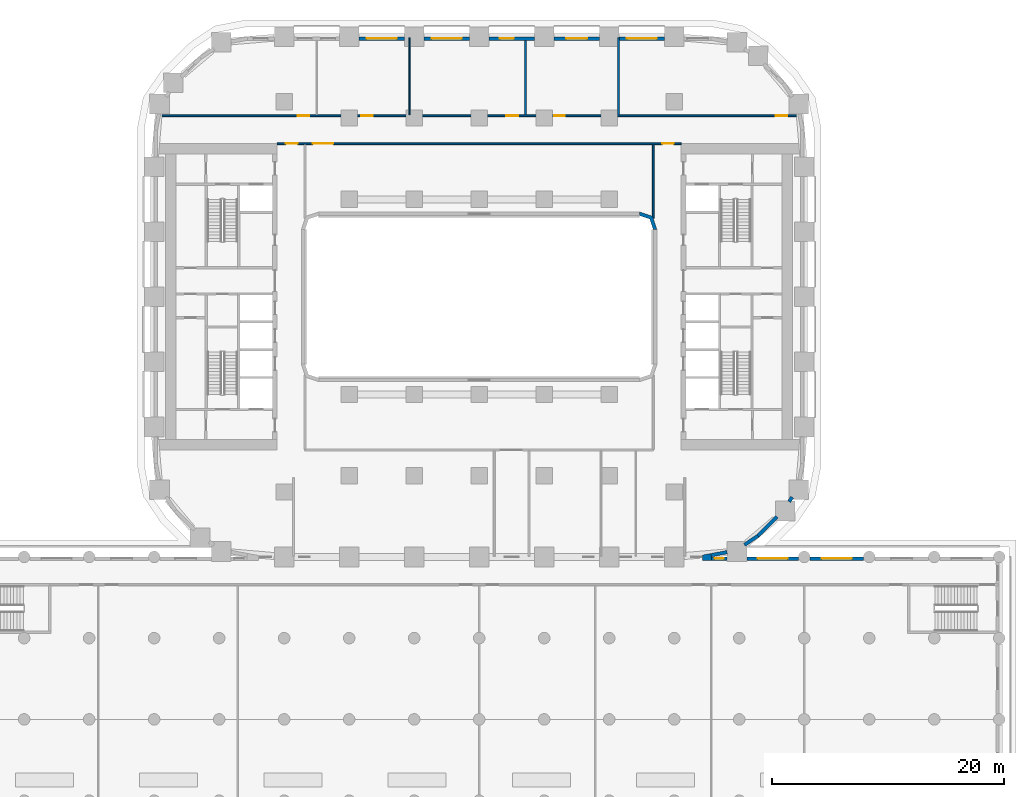
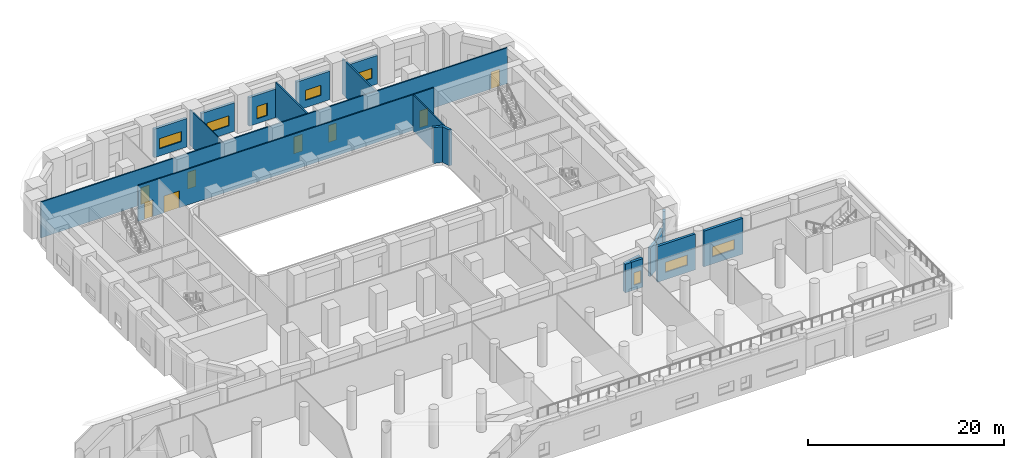
# One storey, part 11 of 23: 20 walls, 8 doors, 8 windows, 16 openings.
"""IFC4 building model written with IfcOpenShell, lengths in metres."""

from ifc_helpers import new_model, si_unit, direction, frame, frame_2d, origin, place, context, subcontext, project, spatial, polyline, rectangle, outline, extrude, material, layer, layer_set, type_object, element, fill, save


model = new_model("IFC4")

# Units and contexts
model_context = context("Model", 3, precision=1e-05, world=origin(), true_north=direction((0.0, 1.0)))
body_context = subcontext(model_context, "Body", "Model", "MODEL_VIEW")
ifc_project = project(units=[si_unit("LENGTHUNIT", "METRE"), si_unit("AREAUNIT", "SQUARE_METRE"), si_unit("VOLUMEUNIT", "CUBIC_METRE"), si_unit("PLANEANGLEUNIT", "RADIAN"), si_unit("MASSUNIT", "GRAM", prefix="KILO")], contexts=[model_context])

# Site, building, storey
site_placement = place(None, origin())
site = spatial("IfcSite", under=ifc_project, at=site_placement, CompositionType="ELEMENT")
building_placement = place(site_placement, origin())
building = spatial("IfcBuilding", under=site, at=building_placement, Name="Kiln Ring Residences", CompositionType="ELEMENT")
storey_placement = place(building_placement, frame((0.0, 0.0, 16.10009765625)))
storey = spatial("IfcBuildingStorey", under=building, at=storey_placement, Name="L03", CompositionType="ELEMENT", Elevation=16.10009765625)

# Wall, opening, window
ifc_material_1 = material(Name="Brick masonry, dark clay brick", Category="masonry")
ifc_layer_1 = layer(ifc_material_1, 0.300048828125)
ifc_layer_set_1 = layer_set([ifc_layer_1], Name="EW-300 BRICK WALL")
wall_type_1 = type_object("IfcWallType", Name="EW-300 BRICK WALL", PredefinedType="SOLIDWALL", material=ifc_layer_set_1)
wall_1_placement = place(storey_placement, frame((33.10009765625, -22.550048828125, 0.0), z_axis=(0.0, 0.0, 1.0), x_axis=(-1.0, 0.0, 0.0)))
wall_1 = element("IfcWall", 1, at=wall_1_placement, inside=storey, type_object=wall_type_1, Name="Facade wall L03 6", PredefinedType="SOLIDWALL", context=body_context, shape_type="SweptSolid", body=[
    extrude(rectangle(XDim=4.60009765625, YDim=0.300048828125, at=frame_2d((2.300048828125, 0.0))), origin(), (0.0, 0.0, 1.0), 4.449951171875),
])
opening_1_placement = place(wall_1_placement, frame((1.0, 0.0, 0.89990234375)))
opening_1 = element("IfcOpeningElement", 2, at=opening_1_placement, cuts=wall_1, Name="Opening W3", PredefinedType="OPENING", context=body_context, shape_type="SweptSolid", body=[
    extrude(rectangle(XDim=2.60009765625, YDim=1.25, at=frame_2d((1.300048828125, 0.625))), frame((0.0, 0.159912109375, 0.0), z_axis=(0.0, -1.0, 0.0), x_axis=(1.0, 0.0, 0.0)), (0.0, 0.0, 1.0), 0.320068359375),
])
ifc_material_2 = material(Name="Aluminium frame with double glazing", Category="aluminium")
window_type_1 = type_object("IfcWindowType", Name="WINDOW 2600 x 1250", PartitioningType="SINGLE_PANEL", PredefinedType="WINDOW", material=ifc_material_2)
window_1_placement = place(opening_1_placement, origin())
window_1 = element("IfcWindow", 3, at=window_1_placement, inside=storey, type_object=window_type_1, Name="Window L03 7", OverallHeight=1.25, OverallWidth=2.60009765625, PartitioningType="SINGLE_PANEL", PredefinedType="WINDOW", context=body_context, shape_type="SweptSolid", body=[
    extrude(rectangle(XDim=2.60009765625, YDim=1.25, at=frame_2d((1.300048828125, 0.625))), frame((0.0, 0.030029296875, 0.0), z_axis=(0.0, -1.0, 0.0), x_axis=(1.0, 0.0, 0.0)), (0.0, 0.0, 1.0), 0.06005859375),
])
fill(opening_1, window_1)

wall_2_placement = place(storey_placement, frame((27.5, -22.550048828125, 0.0), z_axis=(0.0, 0.0, 1.0), x_axis=(-1.0, 0.0, 0.0)))
wall_2 = element("IfcWall", 4, at=wall_2_placement, inside=storey, type_object=wall_type_1, Name="Facade wall L03 7", PredefinedType="SOLIDWALL", context=body_context, shape_type="SweptSolid", body=[
    extrude(rectangle(XDim=4.44140625, YDim=0.300048828125, at=frame_2d((2.220703125, 0.0))), origin(), (0.0, 0.0, 1.0), 4.449951171875),
])
opening_2_placement = place(wall_2_placement, frame((0.920654296875, 0.0, 0.89990234375)))
opening_2 = element("IfcOpeningElement", 5, at=opening_2_placement, cuts=wall_2, Name="Opening W3", PredefinedType="OPENING", context=body_context, shape_type="SweptSolid", body=[
    extrude(rectangle(XDim=2.60009765625, YDim=1.25, at=frame_2d((1.300048828125, 0.625))), frame((0.0, 0.159912109375, 0.0), z_axis=(0.0, -1.0, 0.0), x_axis=(1.0, 0.0, 0.0)), (0.0, 0.0, 1.0), 0.320068359375),
])
window_2_placement = place(opening_2_placement, origin())
window_2 = element("IfcWindow", 6, at=window_2_placement, inside=storey, type_object=window_type_1, Name="Window L03 8", OverallHeight=1.25, OverallWidth=2.60009765625, PartitioningType="SINGLE_PANEL", PredefinedType="WINDOW", context=body_context, shape_type="SweptSolid", body=[
    extrude(rectangle(XDim=2.60009765625, YDim=1.25, at=frame_2d((1.300048828125, 0.625))), frame((0.0, 0.030029296875, 0.0), z_axis=(0.0, -1.0, 0.0), x_axis=(1.0, 0.0, 0.0)), (0.0, 0.0, 1.0), 0.06005859375),
])
fill(opening_2, window_2)

wall_3_placement = place(storey_placement, frame((21.358642578125, -22.550048828125, 0.0), z_axis=(0.0, 0.0, 1.0), x_axis=(-1.0, 0.0, 0.0)))
wall_3 = element("IfcWall", 7, at=wall_3_placement, inside=storey, type_object=wall_type_1, Name="Facade wall L03 8", PredefinedType="SOLIDWALL", context=body_context, shape_type="SweptSolid", body=[
    extrude(rectangle(XDim=1.358642578125, YDim=0.300048828125, at=frame_2d((0.67919921875, 0.0))), origin(), (0.0, 0.0, 1.0), 3.5498046875),
])
opening_3_placement = place(wall_3_placement, frame((0.279296875, 0.0, 0.60009765625)))
opening_3 = element("IfcOpeningElement", 8, at=opening_3_placement, cuts=wall_3, Name="Opening W5", PredefinedType="OPENING", context=body_context, shape_type="SweptSolid", body=[
    extrude(rectangle(XDim=0.800048828125, YDim=1.550048828125, at=frame_2d((0.39990234375, 0.77490234375))), frame((0.0, 0.159912109375, 0.0), z_axis=(0.0, -1.0, 0.0), x_axis=(1.0, 0.0, 0.0)), (0.0, 0.0, 1.0), 0.320068359375),
])
ifc_material_3 = material(Name="Aluminium frame with double glazing", Category="aluminium")
window_type_2 = type_object("IfcWindowType", Name="WINDOW 800 x 1550", PartitioningType="SINGLE_PANEL", PredefinedType="WINDOW", material=ifc_material_3)
window_3_placement = place(opening_3_placement, origin())
window_3 = element("IfcWindow", 9, at=window_3_placement, inside=storey, type_object=window_type_2, Name="Window L03 9", OverallHeight=1.550048828125, OverallWidth=0.800048828125, PartitioningType="SINGLE_PANEL", PredefinedType="WINDOW", context=body_context, shape_type="SweptSolid", body=[
    extrude(rectangle(XDim=0.800048828125, YDim=1.550048828125, at=frame_2d((0.39990234375, 0.77490234375))), frame((0.0, 0.030029296875, 0.0), z_axis=(0.0, -1.0, 0.0), x_axis=(1.0, 0.0, 0.0)), (0.0, 0.0, 1.0), 0.06005859375),
])
fill(opening_3, window_3)

# Walls
for number, where, z_axis, x_axis, name in (
    (10, (19.971923828125, -22.252685546875, 0.0), (0.0, 0.0, 1.0), (0.98229142023, 0.187359455971, 0.0), "Facade wall L03 9"),
    (11, (22.849853515625, -21.369140625, 0.0), (0.0, 0.0, 1.0), (0.827075041075, 0.562091519622, 0.0), "Facade wall L03 10"),
):
    element("IfcWall", number, at=place(storey_placement, frame(where, z_axis=z_axis, x_axis=x_axis)), inside=storey, type_object=wall_type_1, Name=name, PredefinedType="SOLIDWALL", context=body_context, shape_type="SweptSolid", body=[
        extrude(rectangle(XDim=1.406005859375, YDim=0.300048828125, at=frame_2d((0.703125, 0.0))), origin(), (0.0, 0.0, 1.0), 3.5498046875),
    ])
wall_4_placement = place(storey_placement, frame((23.990966796875, -20.596923828125, 0.0), z_axis=(0.0, 0.0, 1.0), x_axis=(0.707054835785, 0.707158722772, 0.0)))
element("IfcWall", 12, at=wall_4_placement, inside=storey, type_object=wall_type_1, Name="Facade wall L03 11", PredefinedType="SOLIDWALL", context=body_context, shape_type="SweptSolid", body=[
    extrude(rectangle(XDim=2.35009765625, YDim=0.300048828125, at=frame_2d((1.175048828125, 0.0))), origin(), (0.0, 0.0, 1.0), 3.5498046875),
])
wall_5_placement = place(storey_placement, frame((26.701171875, -17.644287109375, 0.0), z_axis=(0.0, 0.0, 1.0), x_axis=(0.562001981492, 0.827135885329, 0.0)))
element("IfcWall", 13, at=wall_5_placement, inside=storey, type_object=wall_type_1, Name="Facade wall L03 12", PredefinedType="SOLIDWALL", context=body_context, shape_type="SweptSolid", body=[
    extrude(rectangle(XDim=0.47705078125, YDim=0.300048828125, at=frame_2d((0.238525390625, 0.0))), origin(), (0.0, 0.0, 1.0), 4.449951171875),
])

# Wall, opening, window
wall_6_placement = place(storey_placement, frame((15.949951171875, 22.25, 0.0), z_axis=(0.0, 0.0, 1.0), x_axis=(-1.0, 0.0, 0.0)))
wall_6 = element("IfcWall", 14, at=wall_6_placement, inside=storey, type_object=wall_type_1, Name="Facade wall L03 26", PredefinedType="SOLIDWALL", context=body_context, shape_type="SweptSolid", body=[
    extrude(rectangle(XDim=3.89990234375, YDim=0.300048828125, at=frame_2d((1.949951171875, 0.0))), origin(), (0.0, 0.0, 1.0), 3.5498046875),
])
opening_4_placement = place(wall_6_placement, frame((0.637451171875, 0.0, 0.89990234375)))
opening_4 = element("IfcOpeningElement", 15, at=opening_4_placement, cuts=wall_6, Name="Opening W3", PredefinedType="OPENING", context=body_context, shape_type="SweptSolid", body=[
    extrude(rectangle(XDim=2.60009765625, YDim=1.25, at=frame_2d((1.300048828125, 0.625))), frame((0.0, 0.159912109375, 0.0), z_axis=(0.0, -1.0, 0.0), x_axis=(1.0, 0.0, 0.0)), (0.0, 0.0, 1.0), 0.320068359375),
])
window_4_placement = place(opening_4_placement, origin())
window_4 = element("IfcWindow", 16, at=window_4_placement, inside=storey, type_object=window_type_1, Name="Window L03 12", OverallHeight=1.25, OverallWidth=2.60009765625, PartitioningType="SINGLE_PANEL", PredefinedType="WINDOW", context=body_context, shape_type="SweptSolid", body=[
    extrude(rectangle(XDim=2.60009765625, YDim=1.25, at=frame_2d((1.300048828125, 0.625))), frame((0.0, 0.030029296875, 0.0), z_axis=(0.0, -1.0, 0.0), x_axis=(1.0, 0.0, 0.0)), (0.0, 0.0, 1.0), 0.06005859375),
])
fill(opening_4, window_4)

wall_7_placement = place(storey_placement, frame((10.35009765625, 22.25, 0.0), z_axis=(0.0, 0.0, 1.0), x_axis=(-1.0, 0.0, 0.0)))
wall_7 = element("IfcWall", 17, at=wall_7_placement, inside=storey, type_object=wall_type_1, Name="Facade wall L03 27", PredefinedType="SOLIDWALL", context=body_context, shape_type="SweptSolid", body=[
    extrude(rectangle(XDim=3.900146484375, YDim=0.300048828125, at=frame_2d((1.9501953125, 0.0))), origin(), (0.0, 0.0, 1.0), 3.5498046875),
])
opening_5_placement = place(wall_7_placement, frame((1.050048828125, 0.0, 0.89990234375)))
opening_5 = element("IfcOpeningElement", 18, at=opening_5_placement, cuts=wall_7, Name="Opening W2", PredefinedType="OPENING", context=body_context, shape_type="SweptSolid", body=[
    extrude(rectangle(XDim=1.800048828125, YDim=1.25, at=frame_2d((0.89990234375, 0.625))), frame((0.0, 0.159912109375, 0.0), z_axis=(0.0, -1.0, 0.0), x_axis=(1.0, 0.0, 0.0)), (0.0, 0.0, 1.0), 0.320068359375),
])
ifc_material_4 = material(Name="Aluminium frame with double glazing", Category="aluminium")
window_type_3 = type_object("IfcWindowType", Name="WINDOW 1800 x 1250", PartitioningType="SINGLE_PANEL", PredefinedType="WINDOW", material=ifc_material_4)
window_5_placement = place(opening_5_placement, origin())
window_5 = element("IfcWindow", 19, at=window_5_placement, inside=storey, type_object=window_type_3, Name="Window L03 13", OverallHeight=1.25, OverallWidth=1.800048828125, PartitioningType="SINGLE_PANEL", PredefinedType="WINDOW", context=body_context, shape_type="SweptSolid", body=[
    extrude(rectangle(XDim=1.800048828125, YDim=1.25, at=frame_2d((0.89990234375, 0.625))), frame((0.0, 0.030029296875, 0.0), z_axis=(0.0, -1.0, 0.0), x_axis=(1.0, 0.0, 0.0)), (0.0, 0.0, 1.0), 0.06005859375),
])
fill(opening_5, window_5)

wall_8_placement = place(storey_placement, frame((4.75, 22.25, 0.0), z_axis=(0.0, 0.0, 1.0), x_axis=(-1.0, 0.0, 0.0)))
wall_8 = element("IfcWall", 20, at=wall_8_placement, inside=storey, type_object=wall_type_1, Name="Facade wall L03 28", PredefinedType="SOLIDWALL", context=body_context, shape_type="SweptSolid", body=[
    extrude(rectangle(XDim=3.89990234375, YDim=0.300048828125, at=frame_2d((1.949951171875, 0.0))), origin(), (0.0, 0.0, 1.0), 3.5498046875),
])
opening_6_placement = place(wall_8_placement, frame((1.762451171875, 0.0, 0.60009765625)))
opening_6 = element("IfcOpeningElement", 21, at=opening_6_placement, cuts=wall_8, Name="Opening W1", PredefinedType="OPENING", context=body_context, shape_type="SweptSolid", body=[
    extrude(rectangle(XDim=1.199951171875, YDim=1.550048828125, at=frame_2d((0.60009765625, 0.77490234375))), frame((0.0, 0.159912109375, 0.0), z_axis=(0.0, -1.0, 0.0), x_axis=(1.0, 0.0, 0.0)), (0.0, 0.0, 1.0), 0.320068359375),
])
ifc_material_5 = material(Name="Aluminium frame with double glazing", Category="aluminium")
window_type_4 = type_object("IfcWindowType", Name="WINDOW 1200 x 1550", PartitioningType="SINGLE_PANEL", PredefinedType="WINDOW", material=ifc_material_5)
window_6_placement = place(opening_6_placement, origin())
window_6 = element("IfcWindow", 22, at=window_6_placement, inside=storey, type_object=window_type_4, Name="Window L03 14", OverallHeight=1.550048828125, OverallWidth=1.199951171875, PartitioningType="SINGLE_PANEL", PredefinedType="WINDOW", context=body_context, shape_type="SweptSolid", body=[
    extrude(rectangle(XDim=1.199951171875, YDim=1.550048828125, at=frame_2d((0.60009765625, 0.77490234375))), frame((0.0, 0.030029296875, 0.0), z_axis=(0.0, -1.0, 0.0), x_axis=(1.0, 0.0, 0.0)), (0.0, 0.0, 1.0), 0.06005859375),
])
fill(opening_6, window_6)

wall_9_placement = place(storey_placement, frame((-0.85009765625, 22.25, 0.0), z_axis=(0.0, 0.0, 1.0), x_axis=(-1.0, 0.0, 0.0)))
wall_9 = element("IfcWall", 23, at=wall_9_placement, inside=storey, type_object=wall_type_1, Name="Facade wall L03 29", PredefinedType="SOLIDWALL", context=body_context, shape_type="SweptSolid", body=[
    extrude(rectangle(XDim=3.89990234375, YDim=0.300048828125, at=frame_2d((1.949951171875, 0.0))), origin(), (0.0, 0.0, 1.0), 3.5498046875),
])
opening_7_placement = place(wall_9_placement, frame((0.64990234375, 0.0, 0.89990234375)))
opening_7 = element("IfcOpeningElement", 24, at=opening_7_placement, cuts=wall_9, Name="Opening W3", PredefinedType="OPENING", context=body_context, shape_type="SweptSolid", body=[
    extrude(rectangle(XDim=2.60009765625, YDim=1.25, at=frame_2d((1.300048828125, 0.625))), frame((0.0, 0.159912109375, 0.0), z_axis=(0.0, -1.0, 0.0), x_axis=(1.0, 0.0, 0.0)), (0.0, 0.0, 1.0), 0.320068359375),
])
window_7_placement = place(opening_7_placement, origin())
window_7 = element("IfcWindow", 25, at=window_7_placement, inside=storey, type_object=window_type_1, Name="Window L03 15", OverallHeight=1.25, OverallWidth=2.60009765625, PartitioningType="SINGLE_PANEL", PredefinedType="WINDOW", context=body_context, shape_type="SweptSolid", body=[
    extrude(rectangle(XDim=2.60009765625, YDim=1.25, at=frame_2d((1.300048828125, 0.625))), frame((0.0, 0.030029296875, 0.0), z_axis=(0.0, -1.0, 0.0), x_axis=(1.0, 0.0, 0.0)), (0.0, 0.0, 1.0), 0.06005859375),
])
fill(opening_7, window_7)

wall_10_placement = place(storey_placement, frame((-6.449951171875, 22.25, 0.0), z_axis=(0.0, 0.0, 1.0), x_axis=(-1.0, 0.0, 0.0)))
wall_10 = element("IfcWall", 26, at=wall_10_placement, inside=storey, type_object=wall_type_1, Name="Facade wall L03 30", PredefinedType="SOLIDWALL", context=body_context, shape_type="SweptSolid", body=[
    extrude(rectangle(XDim=3.900146484375, YDim=0.300048828125, at=frame_2d((1.9501953125, 0.0))), origin(), (0.0, 0.0, 1.0), 3.5498046875),
])
opening_8_placement = place(wall_10_placement, frame((0.64990234375, 0.0, 0.89990234375)))
opening_8 = element("IfcOpeningElement", 27, at=opening_8_placement, cuts=wall_10, Name="Opening W3", PredefinedType="OPENING", context=body_context, shape_type="SweptSolid", body=[
    extrude(rectangle(XDim=2.60009765625, YDim=1.25, at=frame_2d((1.300048828125, 0.625))), frame((0.0, 0.159912109375, 0.0), z_axis=(0.0, -1.0, 0.0), x_axis=(1.0, 0.0, 0.0)), (0.0, 0.0, 1.0), 0.320068359375),
])
window_8_placement = place(opening_8_placement, origin())
window_8 = element("IfcWindow", 28, at=window_8_placement, inside=storey, type_object=window_type_1, Name="Window L03 16", OverallHeight=1.25, OverallWidth=2.60009765625, PartitioningType="SINGLE_PANEL", PredefinedType="WINDOW", context=body_context, shape_type="SweptSolid", body=[
    extrude(rectangle(XDim=2.60009765625, YDim=1.25, at=frame_2d((1.300048828125, 0.625))), frame((0.0, 0.030029296875, 0.0), z_axis=(0.0, -1.0, 0.0), x_axis=(1.0, 0.0, 0.0)), (0.0, 0.0, 1.0), 0.06005859375),
])
fill(opening_8, window_8)

# Walls
placement = place(storey_placement, origin())
element("IfcWall", 29, at=placement, inside=storey, type_object=wall_type_1, Name="Corner wall L03 1", PredefinedType="SOLIDWALL", context=body_context, shape_type="SweptSolid", body=[
    extrude(outline(polyline([(19.94384765625, -22.105224609375), (19.2509765625, -22.237548828125), (19.2509765625, -22.699951171875), (20.0, -22.699951171875), (20.0, -22.39990234375), (19.94384765625, -22.105224609375)])), origin(), (0.0, 0.0, 1.0), 3.5498046875),
])
element("IfcWall", 30, at=placement, inside=storey, type_object=wall_type_1, Name="Corner wall L03 4", PredefinedType="SOLIDWALL", context=body_context, shape_type="SweptSolid", body=[
    extrude(outline(polyline([(14.937255859375, 6.937255859375), (13.8486328125, 7.300048828125), (13.800048828125, 7.300048828125), (13.800048828125, 7.0), (14.699951171875, 6.699951171875), (15.0, 5.800048828125), (15.300048828125, 5.800048828125), (15.300048828125, 5.8486328125), (14.937255859375, 6.937255859375)])), origin(), (0.0, 0.0, 1.0), 4.449951171875),
])
ifc_material_6 = material(Name="Gypsum board on steel studs", Category="steel")
ifc_layer_2 = layer(ifc_material_6, 0.10009765625)
ifc_layer_set_2 = layer_set([ifc_layer_2], Name="PARTITION-100")
wall_type_2 = type_object("IfcWallType", Name="PARTITION-100", PredefinedType="PARTITIONING", material=ifc_layer_set_2)
wall_13_placement = place(storey_placement, frame((-6.0, 15.675048828125, 0.0), z_axis=(0.0, 0.0, 1.0), x_axis=(0.0, 1.0, 0.0)))
element("IfcWall", 31, at=wall_13_placement, inside=storey, type_object=wall_type_2, Name="Partition 016", PredefinedType="PARTITIONING", context=body_context, shape_type="SweptSolid", body=[
    extrude(rectangle(XDim=6.635009765625, YDim=0.10009765625, at=frame_2d((3.3173828125, 0.0))), origin(), (0.0, 0.0, 1.0), 4.449951171875),
])

# Wall, openings, doors
ifc_material_7 = material(Name="Brick masonry partition", Category="masonry")
ifc_layer_3 = layer(ifc_material_7, 0.14990234375)
ifc_layer_set_3 = layer_set([ifc_layer_3], Name="PARTITION-150-ei60")
wall_type_3 = type_object("IfcWallType", Name="PARTITION-150-ei60", PredefinedType="PARTITIONING", material=ifc_layer_set_3)
wall_14_placement = place(storey_placement, frame((-17.39990234375, 13.199951171875, 0.0), z_axis=(0.0, 0.0, 1.0), x_axis=(1.0, 0.0, 0.0)))
wall_14 = element("IfcWall", 32, at=wall_14_placement, inside=storey, type_object=wall_type_3, Name="Partition 007", PredefinedType="PARTITIONING", context=body_context, shape_type="SweptSolid", body=[
    extrude(rectangle(XDim=34.7998046875, YDim=0.14990234375, at=frame_2d((17.39990234375, 0.0))), origin(), (0.0, 0.0, 1.0), 4.449951171875),
])
opening_9_placement = place(wall_14_placement, frame((3.050048828125, 0.0, 0.0)))
opening_9 = element("IfcOpeningElement", 33, at=opening_9_placement, cuts=wall_14, Name="Opening L03-D001", PredefinedType="OPENING", context=body_context, shape_type="SweptSolid", body=[
    extrude(rectangle(XDim=1.800048828125, YDim=2.10009765625, at=frame_2d((0.89990234375, 1.050048828125))), frame((0.0, 0.0849609375, 0.0), z_axis=(0.0, -1.0, 0.0), x_axis=(1.0, 0.0, 0.0)), (0.0, 0.0, 1.0), 0.169921875),
])
opening_10_placement = place(wall_14_placement, frame((0.75, 0.0, 0.0)))
opening_10 = element("IfcOpeningElement", 34, at=opening_10_placement, cuts=wall_14, Name="Opening L03-D002", PredefinedType="OPENING", context=body_context, shape_type="SweptSolid", body=[
    extrude(rectangle(XDim=1.0, YDim=2.10009765625, at=frame_2d((0.5, 1.050048828125))), frame((0.0, 0.0849609375, 0.0), z_axis=(0.0, -1.0, 0.0), x_axis=(1.0, 0.0, 0.0)), (0.0, 0.0, 1.0), 0.169921875),
])
opening_11_placement = place(wall_14_placement, frame((33.14990234375, 0.0, 0.0)))
opening_11 = element("IfcOpeningElement", 35, at=opening_11_placement, cuts=wall_14, Name="Opening L03-D003", PredefinedType="OPENING", context=body_context, shape_type="SweptSolid", body=[
    extrude(rectangle(XDim=1.0, YDim=2.10009765625, at=frame_2d((0.5, 1.050048828125))), frame((0.0, 0.0849609375, 0.0), z_axis=(0.0, -1.0, 0.0), x_axis=(1.0, 0.0, 0.0)), (0.0, 0.0, 1.0), 0.169921875),
])
ifc_material_8 = material(Name="Steel faced fire door leaf", Category="steel")
door_type_1 = type_object("IfcDoorType", Name="FLAT-DOOR-1000-FR", OperationType="SINGLE_SWING_LEFT", PredefinedType="DOOR", material=ifc_material_8)
door_1_placement = place(opening_10_placement, origin())
door_1 = element("IfcDoor", 36, at=door_1_placement, inside=storey, type_object=door_type_1, Name="Door L03-D002", OperationType="SINGLE_SWING_LEFT", OverallHeight=2.10009765625, OverallWidth=1.0, PredefinedType="DOOR", context=body_context, shape_type="SweptSolid", body=[
    extrude(rectangle(XDim=1.0, YDim=2.10009765625, at=frame_2d((0.5, 1.050048828125))), frame((0.0, 0.02490234375, 0.0), z_axis=(0.0, -1.0, 0.0), x_axis=(1.0, 0.0, 0.0)), (0.0, 0.0, 1.0), 0.050048828125),
])
fill(opening_10, door_1)
door_2_placement = place(opening_11_placement, origin())
door_2 = element("IfcDoor", 37, at=door_2_placement, inside=storey, type_object=door_type_1, Name="Door L03-D003", OperationType="SINGLE_SWING_RIGHT", OverallHeight=2.10009765625, OverallWidth=1.0, PredefinedType="DOOR", context=body_context, shape_type="SweptSolid", body=[
    extrude(rectangle(XDim=1.0, YDim=2.10009765625, at=frame_2d((0.5, 1.050048828125))), frame((0.0, 0.02490234375, 0.0), z_axis=(0.0, -1.0, 0.0), x_axis=(1.0, 0.0, 0.0)), (0.0, 0.0, 1.0), 0.050048828125),
])
fill(opening_11, door_2)
ifc_material_9 = material(Name="Steel faced fire door leaf", Category="steel")
door_type_2 = type_object("IfcDoorType", Name="FLAT-DOOR-1800-FR", OperationType="SINGLE_SWING_LEFT", PredefinedType="DOOR", material=ifc_material_9)
door_3_placement = place(opening_9_placement, origin())
door_3 = element("IfcDoor", 38, at=door_3_placement, inside=storey, type_object=door_type_2, Name="Door L03-D001", OperationType="SINGLE_SWING_LEFT", OverallHeight=2.10009765625, OverallWidth=1.800048828125, PredefinedType="DOOR", context=body_context, shape_type="SweptSolid", body=[
    extrude(rectangle(XDim=1.800048828125, YDim=2.10009765625, at=frame_2d((0.89990234375, 1.050048828125))), frame((0.0, 0.02490234375, 0.0), z_axis=(0.0, -1.0, 0.0), x_axis=(1.0, 0.0, 0.0)), (0.0, 0.0, 1.0), 0.050048828125),
])
fill(opening_9, door_3)

wall_15_placement = place(storey_placement, frame((-27.44580078125, 15.60009765625, 0.0), z_axis=(0.0, 0.0, 1.0), x_axis=(1.0, 0.0, 0.0)))
wall_15 = element("IfcWall", 39, at=wall_15_placement, inside=storey, type_object=wall_type_3, Name="Partition 008", PredefinedType="PARTITIONING", context=body_context, shape_type="SweptSolid", body=[
    extrude(rectangle(XDim=54.8916015625, YDim=0.14990234375, at=frame_2d((27.44580078125, 0.0))), origin(), (0.0, 0.0, 1.0), 4.449951171875),
])
opening_12_placement = place(wall_15_placement, frame((11.795654296875, 0.0, 0.0)))
opening_12 = element("IfcOpeningElement", 40, at=opening_12_placement, cuts=wall_15, Name="Opening L03-D021", PredefinedType="OPENING", context=body_context, shape_type="SweptSolid", body=[
    extrude(rectangle(XDim=1.0, YDim=2.10009765625, at=frame_2d((0.5, 1.050048828125))), frame((0.0, 0.0849609375, 0.0), z_axis=(0.0, -1.0, 0.0), x_axis=(1.0, 0.0, 0.0)), (0.0, 0.0, 1.0), 0.169921875),
])
opening_13_placement = place(wall_15_placement, frame((17.295654296875, 0.0, 0.0)))
opening_13 = element("IfcOpeningElement", 41, at=opening_13_placement, cuts=wall_15, Name="Opening L03-D022", PredefinedType="OPENING", context=body_context, shape_type="SweptSolid", body=[
    extrude(rectangle(XDim=1.0, YDim=2.10009765625, at=frame_2d((0.5, 1.050048828125))), frame((0.0, 0.0849609375, 0.0), z_axis=(0.0, -1.0, 0.0), x_axis=(1.0, 0.0, 0.0)), (0.0, 0.0, 1.0), 0.169921875),
])
opening_14_placement = place(wall_15_placement, frame((29.795654296875, 0.0, 0.0)))
opening_14 = element("IfcOpeningElement", 42, at=opening_14_placement, cuts=wall_15, Name="Opening L03-D023", PredefinedType="OPENING", context=body_context, shape_type="SweptSolid", body=[
    extrude(rectangle(XDim=1.0, YDim=2.10009765625, at=frame_2d((0.5, 1.050048828125))), frame((0.0, 0.0849609375, 0.0), z_axis=(0.0, -1.0, 0.0), x_axis=(1.0, 0.0, 0.0)), (0.0, 0.0, 1.0), 0.169921875),
])
opening_15_placement = place(wall_15_placement, frame((33.895751953125, 0.0, 0.0)))
opening_15 = element("IfcOpeningElement", 43, at=opening_15_placement, cuts=wall_15, Name="Opening L03-D024", PredefinedType="OPENING", context=body_context, shape_type="SweptSolid", body=[
    extrude(rectangle(XDim=0.89990234375, YDim=2.10009765625, at=frame_2d((0.449951171875, 1.050048828125))), frame((0.0, 0.0849609375, 0.0), z_axis=(0.0, -1.0, 0.0), x_axis=(1.0, 0.0, 0.0)), (0.0, 0.0, 1.0), 0.169921875),
])
opening_16_placement = place(wall_15_placement, frame((52.974609375, 0.0, 0.0)))
opening_16 = element("IfcOpeningElement", 44, at=opening_16_placement, cuts=wall_15, Name="Opening L03-D025", PredefinedType="OPENING", context=body_context, shape_type="SweptSolid", body=[
    extrude(rectangle(XDim=1.0, YDim=2.10009765625, at=frame_2d((0.5, 1.050048828125))), frame((0.0, 0.0849609375, 0.0), z_axis=(0.0, -1.0, 0.0), x_axis=(1.0, 0.0, 0.0)), (0.0, 0.0, 1.0), 0.169921875),
])
door_4_placement = place(opening_12_placement, origin())
door_4 = element("IfcDoor", 45, at=door_4_placement, inside=storey, type_object=door_type_1, Name="Door L03-D021", OperationType="SINGLE_SWING_LEFT", OverallHeight=2.10009765625, OverallWidth=1.0, PredefinedType="DOOR", context=body_context, shape_type="SweptSolid", body=[
    extrude(rectangle(XDim=1.0, YDim=2.10009765625, at=frame_2d((0.5, 1.050048828125))), frame((0.0, 0.02490234375, 0.0), z_axis=(0.0, -1.0, 0.0), x_axis=(1.0, 0.0, 0.0)), (0.0, 0.0, 1.0), 0.050048828125),
])
fill(opening_12, door_4)
door_5_placement = place(opening_13_placement, origin())
door_5 = element("IfcDoor", 46, at=door_5_placement, inside=storey, type_object=door_type_1, Name="Door L03-D022", OperationType="SINGLE_SWING_LEFT", OverallHeight=2.10009765625, OverallWidth=1.0, PredefinedType="DOOR", context=body_context, shape_type="SweptSolid", body=[
    extrude(rectangle(XDim=1.0, YDim=2.10009765625, at=frame_2d((0.5, 1.050048828125))), frame((0.0, 0.02490234375, 0.0), z_axis=(0.0, -1.0, 0.0), x_axis=(1.0, 0.0, 0.0)), (0.0, 0.0, 1.0), 0.050048828125),
])
fill(opening_13, door_5)
door_6_placement = place(opening_14_placement, origin())
door_6 = element("IfcDoor", 47, at=door_6_placement, inside=storey, type_object=door_type_1, Name="Door L03-D023", OperationType="SINGLE_SWING_LEFT", OverallHeight=2.10009765625, OverallWidth=1.0, PredefinedType="DOOR", context=body_context, shape_type="SweptSolid", body=[
    extrude(rectangle(XDim=1.0, YDim=2.10009765625, at=frame_2d((0.5, 1.050048828125))), frame((0.0, 0.02490234375, 0.0), z_axis=(0.0, -1.0, 0.0), x_axis=(1.0, 0.0, 0.0)), (0.0, 0.0, 1.0), 0.050048828125),
])
fill(opening_14, door_6)
door_7_placement = place(opening_16_placement, origin())
door_7 = element("IfcDoor", 48, at=door_7_placement, inside=storey, type_object=door_type_1, Name="Door L03-D025", OperationType="SINGLE_SWING_LEFT", OverallHeight=2.10009765625, OverallWidth=1.0, PredefinedType="DOOR", context=body_context, shape_type="SweptSolid", body=[
    extrude(rectangle(XDim=1.0, YDim=2.10009765625, at=frame_2d((0.5, 1.050048828125))), frame((0.0, 0.02490234375, 0.0), z_axis=(0.0, -1.0, 0.0), x_axis=(1.0, 0.0, 0.0)), (0.0, 0.0, 1.0), 0.050048828125),
])
fill(opening_16, door_7)
ifc_material_10 = material(Name="Steel faced fire door leaf", Category="steel")
door_type_3 = type_object("IfcDoorType", Name="FLAT-DOOR-900-FR", OperationType="SINGLE_SWING_LEFT", PredefinedType="DOOR", material=ifc_material_10)
door_8_placement = place(opening_15_placement, origin())
door_8 = element("IfcDoor", 49, at=door_8_placement, inside=storey, type_object=door_type_3, Name="Door L03-D024", OperationType="SINGLE_SWING_RIGHT", OverallHeight=2.10009765625, OverallWidth=0.89990234375, PredefinedType="DOOR", context=body_context, shape_type="SweptSolid", body=[
    extrude(rectangle(XDim=0.89990234375, YDim=2.10009765625, at=frame_2d((0.449951171875, 1.050048828125))), frame((0.0, 0.02490234375, 0.0), z_axis=(0.0, -1.0, 0.0), x_axis=(1.0, 0.0, 0.0)), (0.0, 0.0, 1.0), 0.050048828125),
])
fill(opening_15, door_8)

# Walls
wall_16_placement = place(storey_placement, frame((4.0, 15.675048828125, 0.0), z_axis=(0.0, 0.0, 1.0), x_axis=(0.0, 1.0, 0.0)))
element("IfcWall", 50, at=wall_16_placement, inside=storey, type_object=wall_type_3, Name="Partition 019", PredefinedType="PARTITIONING", context=body_context, shape_type="SweptSolid", body=[
    extrude(rectangle(XDim=6.405029296875, YDim=0.14990234375, at=frame_2d((3.20263671875, 0.0))), origin(), (0.0, 0.0, 1.0), 4.449951171875),
])
wall_17_placement = place(storey_placement, frame((12.0, 15.675048828125, 0.0), z_axis=(0.0, 0.0, 1.0), x_axis=(0.0, 1.0, 0.0)))
element("IfcWall", 51, at=wall_17_placement, inside=storey, type_object=wall_type_3, Name="Partition 023", PredefinedType="PARTITIONING", context=body_context, shape_type="SweptSolid", body=[
    extrude(rectangle(XDim=6.635009765625, YDim=0.14990234375, at=frame_2d((3.3173828125, 0.0))), origin(), (0.0, 0.0, 1.0), 4.449951171875),
])
wall_18_placement = place(storey_placement, frame((15.0, 6.768798828125, 0.0), z_axis=(0.0, 0.0, 1.0), x_axis=(0.0, 1.0, 0.0)))
element("IfcWall", 52, at=wall_18_placement, inside=storey, type_object=wall_type_3, Name="Partition 026", PredefinedType="PARTITIONING", context=body_context, shape_type="SweptSolid", body=[
    extrude(rectangle(XDim=6.356201171875, YDim=0.14990234375, at=frame_2d((3.17822265625, 0.0))), origin(), (0.0, 0.0, 1.0), 4.449951171875),
])

save(model, "model.ifc")
